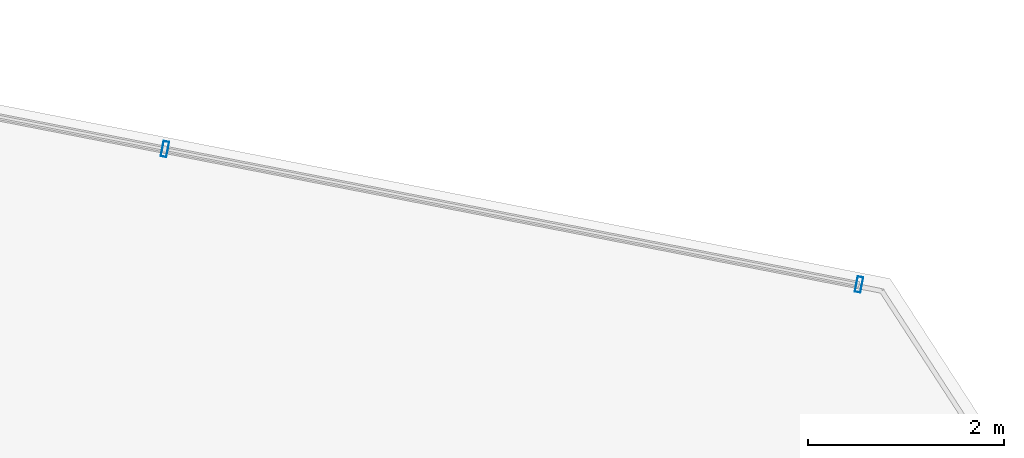
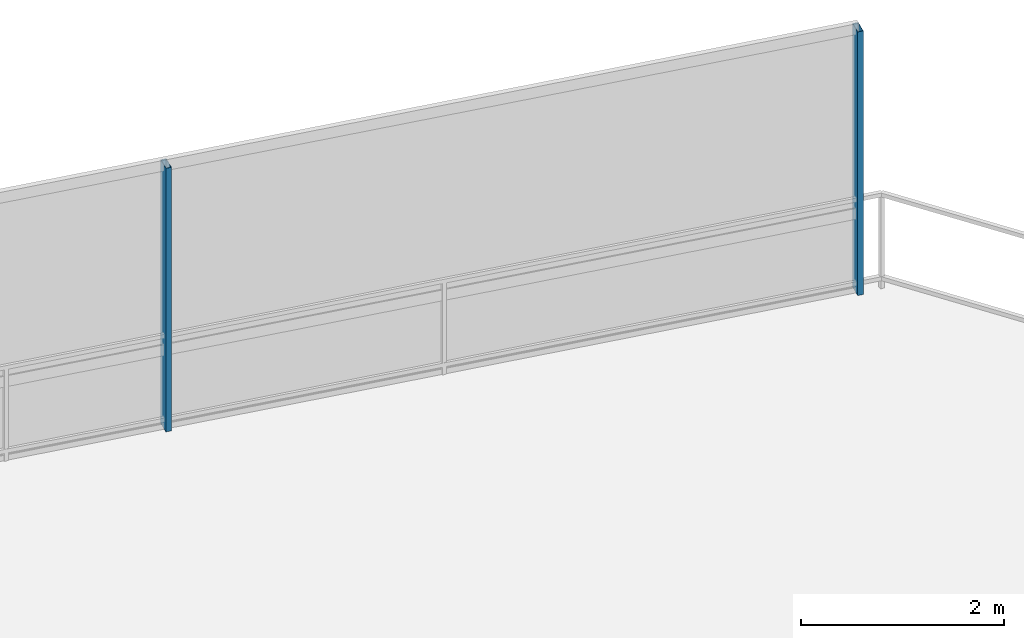
# One storey, part 24 of 33: 2 members, 1 element without a shape of its own.
"""IFC4 building model written with IfcOpenShell, lengths in metres."""

from ifc_helpers import new_model, si_unit, direction, frame, origin, origin_2d, place, context, subcontext, project, spatial, hollow_rectangle, extrude, material, layer, layer_set, material_profile, profile_set, type_object, element, aggregate, save


model = new_model("IFC4")

# Units and contexts
model_context = context("Model", 3, precision=1e-05, world=origin(), true_north=direction((0.0, 1.0)))
body_context = subcontext(model_context, "Body", "Model", "MODEL_VIEW")
ifc_project = project(units=[si_unit("LENGTHUNIT", "METRE"), si_unit("AREAUNIT", "SQUARE_METRE"), si_unit("VOLUMEUNIT", "CUBIC_METRE"), si_unit("PLANEANGLEUNIT", "RADIAN"), si_unit("MASSUNIT", "GRAM", prefix="KILO")], contexts=[model_context])

# Site, building, storey
site_placement = place(None, origin())
site = spatial("IfcSite", under=ifc_project, at=site_placement, CompositionType="ELEMENT")
building_placement = place(site_placement, origin())
building = spatial("IfcBuilding", under=site, at=building_placement, Name="Qarnah Convention Tower", CompositionType="ELEMENT")
storey_placement = place(building_placement, frame((0.0, 0.0, 27.0)))
storey = spatial("IfcBuildingStorey", under=building, at=storey_placement, Name="L05", CompositionType="ELEMENT", Elevation=27.0)

# Curtain wall, members
ifc_material_1 = material(Name="Tempered Low-E dark glass", Category="glass")
ifc_layer = layer(ifc_material_1, 0.16796875)
ifc_layer_set = layer_set([ifc_layer], Name="Tempered Low-E dark glass")
curtain_wall_type = type_object("IfcCurtainWallType", Name="CWS-01", PredefinedType="NOTDEFINED", material=ifc_layer_set)
curtain_wall_placement = place(storey_placement, origin())
curtain_wall = element("IfcCurtainWall", 1, at=curtain_wall_placement, inside=storey, type_object=curtain_wall_type, Name="L05 unitised curtain wall CW-L05-F2", PredefinedType="NOTDEFINED")
ifc_material_2 = material(Name="Black anodised aluminium", Category="aluminium")
ifc_material_profile = material_profile(ifc_material_2, hollow_rectangle(XDim=0.06005859375, YDim=0.159912109375, WallThickness=0.00390625, at=origin_2d()), Name="MUL-60X160")
ifc_profile_set = profile_set([ifc_material_profile], Name="Black anodised aluminium")
member_type = type_object("IfcMemberType", Name="MUL-T1", PredefinedType="MULLION", material=ifc_profile_set)
member_1_placement = place(storey_placement, frame((52.819580078125, 42.851806640625, 0.0), z_axis=(0.0, 0.0, 1.0), x_axis=(0.981495298553, -0.191486236892, 0.0)))
member_1 = element("IfcMember", 2, at=member_1_placement, type_object=member_type, Name="CW-L05-F2 mullion 5", PredefinedType="MULLION", context=body_context, shape_type="SweptSolid", body=[
    extrude(hollow_rectangle(XDim=0.06005859375, YDim=0.159912109375, WallThickness=0.00390625, at=origin_2d()), origin(), (0.0, 0.0, 1.0), 3.169921875),
])
member_2_placement = place(storey_placement, frame((59.89208984375, 41.471923828125, 0.0), z_axis=(0.0, 0.0, 1.0), x_axis=(0.981495298553, -0.191486236892, 0.0)))
member_2 = element("IfcMember", 3, at=member_2_placement, type_object=member_type, Name="CW-L05-F2 mullion 6", PredefinedType="MULLION", context=body_context, shape_type="SweptSolid", body=[
    extrude(hollow_rectangle(XDim=0.06005859375, YDim=0.159912109375, WallThickness=0.00390625, at=origin_2d()), origin(), (0.0, 0.0, 1.0), 3.169921875),
])
aggregate(curtain_wall, [member_1, member_2])

save(model, "model.ifc")
